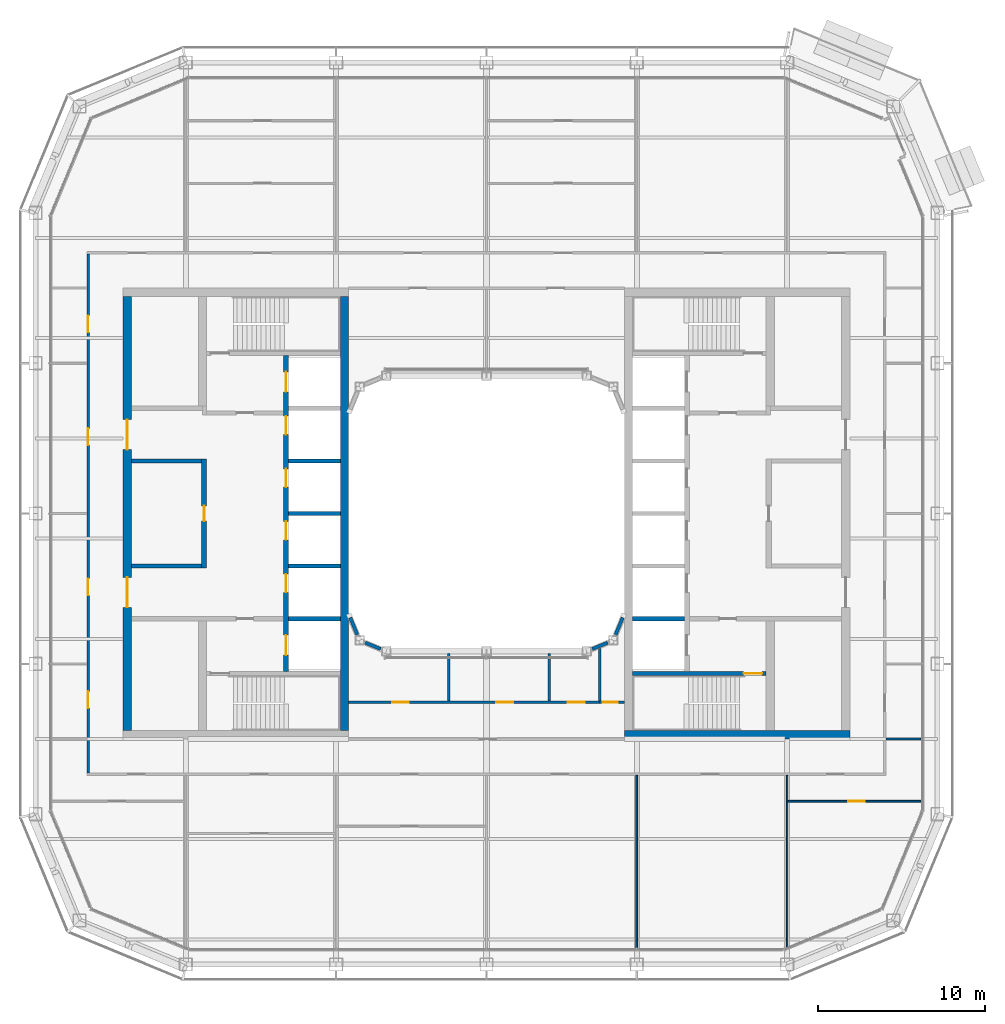
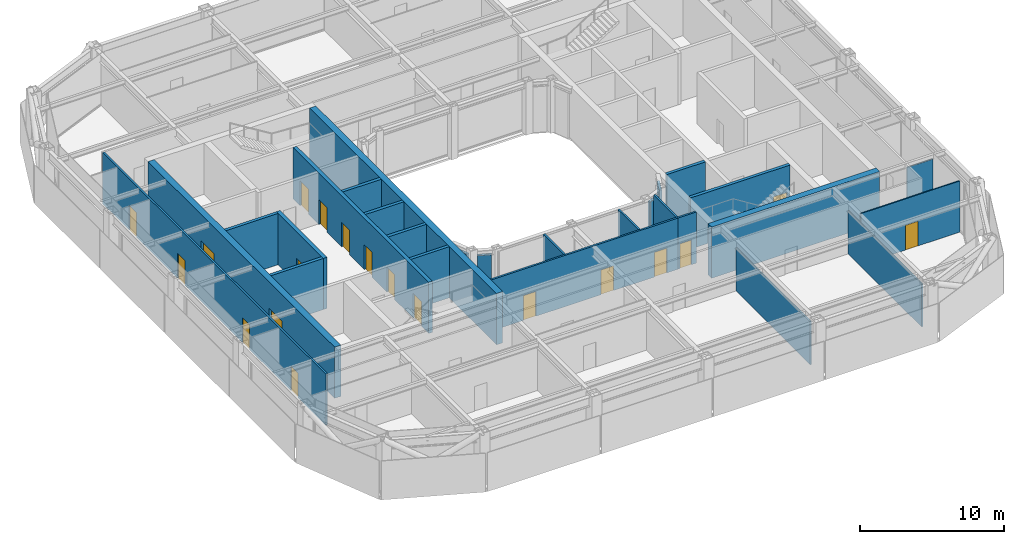
# One storey, part 13 of 23: 27 walls, 19 doors, 19 openings.
"""IFC4 building model written with IfcOpenShell, lengths in metres."""

from ifc_helpers import new_model, si_unit, direction, frame, frame_2d, origin, place, context, subcontext, project, spatial, rectangle, extrude, material, layer, layer_set, type_object, element, fill, save


model = new_model("IFC4")

# Units and contexts
model_context = context("Model", 3, precision=1e-05, world=origin(), true_north=direction((0.0, 1.0)))
body_context = subcontext(model_context, "Body", "Model", "MODEL_VIEW")
ifc_project = project(units=[si_unit("LENGTHUNIT", "METRE"), si_unit("AREAUNIT", "SQUARE_METRE"), si_unit("VOLUMEUNIT", "CUBIC_METRE"), si_unit("PLANEANGLEUNIT", "RADIAN"), si_unit("MASSUNIT", "GRAM", prefix="KILO")], contexts=[model_context])

# Site, building, storey
site_placement = place(None, origin())
site = spatial("IfcSite", under=ifc_project, at=site_placement, CompositionType="ELEMENT")
building_placement = place(site_placement, origin())
building = spatial("IfcBuilding", under=site, at=building_placement, Name="Siwar Civic Tower", CompositionType="ELEMENT")
storey_placement = place(building_placement, frame((0.0, 0.0, 242.199951171875)))
storey = spatial("IfcBuildingStorey", under=building, at=storey_placement, Name="L52", CompositionType="ELEMENT", Elevation=242.199951171875)

# Wall, opening, door
ifc_material_1 = material(Name="Gypsum board on steel studs", Category="steel")
ifc_layer_1 = layer(ifc_material_1, 0.14990234375)
ifc_layer_set_1 = layer_set([ifc_layer_1], Name="Gypsum board on steel studs")
wall_type_1 = type_object("IfcWallType", Name="COMPARTMENT PARTITION 150 EI 60", PredefinedType="PARTITIONING", material=ifc_layer_set_1)
wall_1_placement = place(storey_placement, frame((6.780029296875, -11.300048828125, 0.0), z_axis=(0.0, 0.0, 1.0), x_axis=(1.0, 0.0, 0.0)))
wall_1 = element("IfcWall", 1, at=wall_1_placement, inside=storey, type_object=wall_type_1, Name="L52/wall/P10", PredefinedType="PARTITIONING", context=body_context, shape_type="SweptSolid", body=[
    extrude(rectangle(XDim=1.469970703125, YDim=0.14990234375, at=frame_2d((0.73486328125, 0.0))), origin(), (0.0, 0.0, 1.0), 4.35009765625),
])
opening_1_placement = place(wall_1_placement, frame((0.169921875, 0.0, 0.0)))
opening_1 = element("IfcOpeningElement", 2, at=opening_1_placement, cuts=wall_1, Name="Opening D4", PredefinedType="OPENING", context=body_context, shape_type="SweptSolid", body=[
    extrude(rectangle(XDim=0.89990234375, YDim=2.10009765625, at=frame_2d((0.449951171875, 1.050048828125))), frame((0.0, 0.0849609375, 0.0), z_axis=(0.0, -1.0, 0.0), x_axis=(1.0, 0.0, 0.0)), (0.0, 0.0, 1.0), 0.169921875),
])
ifc_material_2 = material(Name="Timber, painted", Category="wood")
door_type_1 = type_object("IfcDoorType", Name="DOOR 900 X 2100 FD60", OperationType="SINGLE_SWING_LEFT", PredefinedType="DOOR", material=ifc_material_2)
door_1_placement = place(opening_1_placement, origin())
door_1 = element("IfcDoor", 3, at=door_1_placement, inside=storey, type_object=door_type_1, Name="L52-D35", OperationType="SINGLE_SWING_LEFT", OverallHeight=2.10009765625, OverallWidth=0.89990234375, PredefinedType="DOOR", context=body_context, shape_type="SweptSolid", body=[
    extrude(rectangle(XDim=0.89990234375, YDim=2.10009765625, at=frame_2d((0.449951171875, 1.050048828125))), frame((0.0, 0.02490234375, 0.0), z_axis=(0.0, -1.0, 0.0), x_axis=(1.0, 0.0, 0.0)), (0.0, 0.0, 1.0), 0.050048828125),
])
fill(opening_1, door_1)

# Walls
wall_2_placement = place(storey_placement, frame((6.780029296875, -11.22509765625, 0.0), z_axis=(0.0, 0.0, 1.0), x_axis=(0.0, 1.0, 0.0)))
element("IfcWall", 4, at=wall_2_placement, inside=storey, type_object=wall_type_1, Name="L52/wall/P35", PredefinedType="PARTITIONING", context=body_context, shape_type="SweptSolid", body=[
    extrude(rectangle(XDim=3.13818359375, YDim=0.14990234375, at=frame_2d((1.569091796875, 0.0))), origin(), (0.0, 0.0, 1.0), 4.35009765625),
])
ifc_material_3 = material(Name="Concrete C60/75", Category="concrete")
ifc_layer_2 = layer(ifc_material_3, 0.25)
ifc_layer_set_2 = layer_set([ifc_layer_2], Name="Concrete C60/75")
wall_type_2 = type_object("IfcWallType", Name="CORE-WALL-RC250", PredefinedType="SHEAR", material=ifc_layer_set_2)
for number, where, z_axis, x_axis, name in (
    (5, (-17.050048828125, 3.14990234375, 0.0), (0.0, 0.0, 1.0), (-1.0, 0.0, 0.0), "Core wall W"),
    (6, (-17.050048828125, -3.14990234375, 0.0), (0.0, 0.0, 1.0), (-1.0, 0.0, 0.0), "Core wall W"),
):
    element("IfcWall", number, at=place(storey_placement, frame(where, z_axis=z_axis, x_axis=x_axis)), inside=storey, type_object=wall_type_2, Name=name, PredefinedType="SHEAR", context=body_context, shape_type="SweptSolid", body=[
        extrude(rectangle(XDim=4.199951171875, YDim=0.25, at=frame_2d((2.10009765625, 0.0))), origin(), (0.0, 0.0, 1.0), 4.35009765625),
    ])
for number, where, z_axis, x_axis, name in (
    (7, (-8.75, 0.0, 0.0), (0.0, 0.0, 1.0), (-1.0, 0.0, 0.0), "Core wall W"),
    (8, (-8.75, 3.14990234375, 0.0), (0.0, 0.0, 1.0), (-1.0, 0.0, 0.0), "Core wall W"),
    (9, (-8.75, -3.14990234375, 0.0), (0.0, 0.0, 1.0), (-1.0, 0.0, 0.0), "Core wall W"),
    (10, (-8.75, -6.300048828125, 0.0), (0.0, 0.0, 1.0), (-1.0, 0.0, 0.0), "Core wall W"),
    (11, (8.75, -6.300048828125, 0.0), (0.0, 0.0, 1.0), (1.0, 0.0, 0.0), "Core wall E"),
):
    element("IfcWall", number, at=place(storey_placement, frame(where, z_axis=z_axis, x_axis=x_axis)), inside=storey, type_object=wall_type_2, Name=name, PredefinedType="SHEAR", context=body_context, shape_type="SweptSolid", body=[
        extrude(rectangle(XDim=3.10009765625, YDim=0.25, at=frame_2d((1.550048828125, 0.0))), origin(), (0.0, 0.0, 1.0), 4.35009765625),
    ])

# Wall, opening, door
wall_3_placement = place(storey_placement, frame((8.75, -9.574951171875, 0.0), z_axis=(0.0, 0.0, 1.0), x_axis=(1.0, 0.0, 0.0)))
wall_3 = element("IfcWall", 12, at=wall_3_placement, inside=storey, type_object=wall_type_2, Name="Core wall E", PredefinedType="SHEAR", context=body_context, shape_type="SweptSolid", body=[
    extrude(rectangle(XDim=8.0, YDim=0.25, at=frame_2d((4.0, 0.0))), origin(), (0.0, 0.0, 1.0), 4.35009765625),
])
opening_2_placement = place(wall_3_placement, frame((6.64990234375, 0.0, 0.0)))
opening_2 = element("IfcOpeningElement", 13, at=opening_2_placement, cuts=wall_3, Name="Opening L52-CE04", PredefinedType="OPENING", context=body_context, shape_type="SweptSolid", body=[
    extrude(rectangle(XDim=1.10009765625, YDim=2.10009765625, at=frame_2d((0.550048828125, 1.050048828125))), frame((0.0, 0.135009765625, 0.0), z_axis=(0.0, -1.0, 0.0), x_axis=(1.0, 0.0, 0.0)), (0.0, 0.0, 1.0), 0.27001953125),
])
ifc_material_4 = material(Name="Steel door leaf", Category="steel")
door_type_2 = type_object("IfcDoorType", Name="CORE-DOOR-FD60S", OperationType="SINGLE_SWING_LEFT", PredefinedType="DOOR", material=ifc_material_4)
door_2_placement = place(opening_2_placement, origin())
door_2 = element("IfcDoor", 14, at=door_2_placement, inside=storey, type_object=door_type_2, Name="Stair door L52-CE04", OperationType="SINGLE_SWING_RIGHT", OverallHeight=2.10009765625, OverallWidth=1.10009765625, PredefinedType="DOOR", context=body_context, shape_type="SweptSolid", body=[
    extrude(rectangle(XDim=1.10009765625, YDim=2.10009765625, at=frame_2d((0.550048828125, 1.050048828125))), frame((0.0, 0.02490234375, 0.0), z_axis=(0.0, -1.0, 0.0), x_axis=(1.0, 0.0, 0.0)), (0.0, 0.0, 1.0), 0.050048828125),
])
fill(opening_2, door_2)

# Wall, openings, doors
ifc_material_5 = material(Name="Concrete C60/75", Category="concrete")
ifc_layer_3 = layer(ifc_material_5, 0.300048828125)
ifc_layer_set_3 = layer_set([ifc_layer_3], Name="Concrete C60/75")
wall_type_3 = type_object("IfcWallType", Name="CORE-WALL-RC300", PredefinedType="SHEAR", material=ifc_layer_set_3)
wall_4_placement = place(storey_placement, frame((-12.0, -9.449951171875, 0.0), z_axis=(0.0, 0.0, 1.0), x_axis=(0.0, 1.0, 0.0)))
wall_4 = element("IfcWall", 15, at=wall_4_placement, inside=storey, type_object=wall_type_3, Name="Core wall W", PredefinedType="SHEAR", context=body_context, shape_type="SweptSolid", body=[
    extrude(rectangle(XDim=18.89990234375, YDim=0.300048828125, at=frame_2d((9.449951171875, 0.0))), origin(), (0.0, 0.0, 1.0), 4.35009765625),
])
opening_3_placement = place(wall_4_placement, frame((4.72509765625, 0.0, 0.0)))
opening_3 = element("IfcOpeningElement", 16, at=opening_3_placement, cuts=wall_4, Name="Opening L52-CW07", PredefinedType="OPENING", context=body_context, shape_type="SweptSolid", body=[
    extrude(rectangle(XDim=1.10009765625, YDim=2.10009765625, at=frame_2d((0.550048828125, 1.050048828125))), frame((0.0, 0.16015625, 0.0), z_axis=(0.0, -1.0, 0.0), x_axis=(1.0, 0.0, 0.0)), (0.0, 0.0, 1.0), 0.320068359375),
])
opening_4_placement = place(wall_4_placement, frame((7.875, 0.0, 0.0)))
opening_4 = element("IfcOpeningElement", 17, at=opening_4_placement, cuts=wall_4, Name="Opening L52-CW08", PredefinedType="OPENING", context=body_context, shape_type="SweptSolid", body=[
    extrude(rectangle(XDim=1.10009765625, YDim=2.10009765625, at=frame_2d((0.550048828125, 1.050048828125))), frame((0.0, 0.16015625, 0.0), z_axis=(0.0, -1.0, 0.0), x_axis=(1.0, 0.0, 0.0)), (0.0, 0.0, 1.0), 0.320068359375),
])
opening_5_placement = place(wall_4_placement, frame((11.02490234375, 0.0, 0.0)))
opening_5 = element("IfcOpeningElement", 18, at=opening_5_placement, cuts=wall_4, Name="Opening L52-CW09", PredefinedType="OPENING", context=body_context, shape_type="SweptSolid", body=[
    extrude(rectangle(XDim=1.10009765625, YDim=2.10009765625, at=frame_2d((0.550048828125, 1.050048828125))), frame((0.0, 0.16015625, 0.0), z_axis=(0.0, -1.0, 0.0), x_axis=(1.0, 0.0, 0.0)), (0.0, 0.0, 1.0), 0.320068359375),
])
opening_6_placement = place(wall_4_placement, frame((14.175048828125, 0.0, 0.0)))
opening_6 = element("IfcOpeningElement", 19, at=opening_6_placement, cuts=wall_4, Name="Opening L52-CW10", PredefinedType="OPENING", context=body_context, shape_type="SweptSolid", body=[
    extrude(rectangle(XDim=1.10009765625, YDim=2.10009765625, at=frame_2d((0.550048828125, 1.050048828125))), frame((0.0, 0.16015625, 0.0), z_axis=(0.0, -1.0, 0.0), x_axis=(1.0, 0.0, 0.0)), (0.0, 0.0, 1.0), 0.320068359375),
])
opening_7_placement = place(wall_4_placement, frame((16.72509765625, 0.0, 0.0)))
opening_7 = element("IfcOpeningElement", 20, at=opening_7_placement, cuts=wall_4, Name="Opening L52-CW11", PredefinedType="OPENING", context=body_context, shape_type="SweptSolid", body=[
    extrude(rectangle(XDim=1.199951171875, YDim=2.10009765625, at=frame_2d((0.60009765625, 1.050048828125))), frame((0.0, 0.16015625, 0.0), z_axis=(0.0, -1.0, 0.0), x_axis=(1.0, 0.0, 0.0)), (0.0, 0.0, 1.0), 0.320068359375),
])
opening_8_placement = place(wall_4_placement, frame((0.97509765625, 0.0, 0.0)))
opening_8 = element("IfcOpeningElement", 21, at=opening_8_placement, cuts=wall_4, Name="Opening L52-CW12", PredefinedType="OPENING", context=body_context, shape_type="SweptSolid", body=[
    extrude(rectangle(XDim=1.199951171875, YDim=2.10009765625, at=frame_2d((0.60009765625, 1.050048828125))), frame((0.0, 0.16015625, 0.0), z_axis=(0.0, -1.0, 0.0), x_axis=(1.0, 0.0, 0.0)), (0.0, 0.0, 1.0), 0.320068359375),
])
ifc_material_6 = material(Name="Steel door leaf", Category="steel")
door_type_3 = type_object("IfcDoorType", Name="CORE-DOOR-LD", OperationType="DOUBLE_DOOR_SLIDING", PredefinedType="DOOR", material=ifc_material_6)
door_3_placement = place(opening_3_placement, origin())
door_3 = element("IfcDoor", 22, at=door_3_placement, inside=storey, type_object=door_type_3, Name="Landing door HR1 L52-CW07", OperationType="DOUBLE_DOOR_SLIDING", OverallHeight=2.10009765625, OverallWidth=1.10009765625, PredefinedType="DOOR", context=body_context, shape_type="SweptSolid", body=[
    extrude(rectangle(XDim=1.10009765625, YDim=2.10009765625, at=frame_2d((0.550048828125, 1.050048828125))), frame((0.0, 0.02490234375, 0.0), z_axis=(0.0, -1.0, 0.0), x_axis=(1.0, 0.0, 0.0)), (0.0, 0.0, 1.0), 0.050048828125),
])
fill(opening_3, door_3)
door_4_placement = place(opening_4_placement, origin())
door_4 = element("IfcDoor", 23, at=door_4_placement, inside=storey, type_object=door_type_3, Name="Landing door HR2 L52-CW08", OperationType="DOUBLE_DOOR_SLIDING", OverallHeight=2.10009765625, OverallWidth=1.10009765625, PredefinedType="DOOR", context=body_context, shape_type="SweptSolid", body=[
    extrude(rectangle(XDim=1.10009765625, YDim=2.10009765625, at=frame_2d((0.550048828125, 1.050048828125))), frame((0.0, 0.02490234375, 0.0), z_axis=(0.0, -1.0, 0.0), x_axis=(1.0, 0.0, 0.0)), (0.0, 0.0, 1.0), 0.050048828125),
])
fill(opening_4, door_4)
door_5_placement = place(opening_5_placement, origin())
door_5 = element("IfcDoor", 24, at=door_5_placement, inside=storey, type_object=door_type_3, Name="Landing door HR3 L52-CW09", OperationType="DOUBLE_DOOR_SLIDING", OverallHeight=2.10009765625, OverallWidth=1.10009765625, PredefinedType="DOOR", context=body_context, shape_type="SweptSolid", body=[
    extrude(rectangle(XDim=1.10009765625, YDim=2.10009765625, at=frame_2d((0.550048828125, 1.050048828125))), frame((0.0, 0.02490234375, 0.0), z_axis=(0.0, -1.0, 0.0), x_axis=(1.0, 0.0, 0.0)), (0.0, 0.0, 1.0), 0.050048828125),
])
fill(opening_5, door_5)
door_6_placement = place(opening_6_placement, origin())
door_6 = element("IfcDoor", 25, at=door_6_placement, inside=storey, type_object=door_type_3, Name="Landing door HR4 L52-CW10", OperationType="DOUBLE_DOOR_SLIDING", OverallHeight=2.10009765625, OverallWidth=1.10009765625, PredefinedType="DOOR", context=body_context, shape_type="SweptSolid", body=[
    extrude(rectangle(XDim=1.10009765625, YDim=2.10009765625, at=frame_2d((0.550048828125, 1.050048828125))), frame((0.0, 0.02490234375, 0.0), z_axis=(0.0, -1.0, 0.0), x_axis=(1.0, 0.0, 0.0)), (0.0, 0.0, 1.0), 0.050048828125),
])
fill(opening_6, door_6)
ifc_material_7 = material(Name="Steel door leaf", Category="steel")
door_type_4 = type_object("IfcDoorType", Name="CORE-DOOR-LDW", OperationType="DOUBLE_DOOR_SLIDING", PredefinedType="DOOR", material=ifc_material_7)
door_7_placement = place(opening_7_placement, origin())
door_7 = element("IfcDoor", 26, at=door_7_placement, inside=storey, type_object=door_type_4, Name="Landing door FF1 L52-CW11", OperationType="DOUBLE_DOOR_SLIDING", OverallHeight=2.10009765625, OverallWidth=1.199951171875, PredefinedType="DOOR", context=body_context, shape_type="SweptSolid", body=[
    extrude(rectangle(XDim=1.199951171875, YDim=2.10009765625, at=frame_2d((0.60009765625, 1.050048828125))), frame((0.0, 0.02490234375, 0.0), z_axis=(0.0, -1.0, 0.0), x_axis=(1.0, 0.0, 0.0)), (0.0, 0.0, 1.0), 0.050048828125),
])
fill(opening_7, door_7)
door_8_placement = place(opening_8_placement, origin())
door_8 = element("IfcDoor", 27, at=door_8_placement, inside=storey, type_object=door_type_4, Name="Landing door SV1 L52-CW12", OperationType="DOUBLE_DOOR_SLIDING", OverallHeight=2.10009765625, OverallWidth=1.199951171875, PredefinedType="DOOR", context=body_context, shape_type="SweptSolid", body=[
    extrude(rectangle(XDim=1.199951171875, YDim=2.10009765625, at=frame_2d((0.60009765625, 1.050048828125))), frame((0.0, 0.02490234375, 0.0), z_axis=(0.0, -1.0, 0.0), x_axis=(1.0, 0.0, 0.0)), (0.0, 0.0, 1.0), 0.050048828125),
])
fill(opening_8, door_8)

# Wall, opening, door
wall_5_placement = place(storey_placement, frame((-16.89990234375, -3.27490234375, 0.0), z_axis=(0.0, 0.0, 1.0), x_axis=(0.0, 1.0, 0.0)))
wall_5 = element("IfcWall", 28, at=wall_5_placement, inside=storey, type_object=wall_type_3, Name="Core wall W", PredefinedType="SHEAR", context=body_context, shape_type="SweptSolid", body=[
    extrude(rectangle(XDim=6.5498046875, YDim=0.300048828125, at=frame_2d((3.27490234375, 0.0))), origin(), (0.0, 0.0, 1.0), 4.35009765625),
])
opening_9_placement = place(wall_5_placement, frame((2.824951171875, 0.0, 0.0)))
opening_9 = element("IfcOpeningElement", 29, at=opening_9_placement, cuts=wall_5, Name="Opening L52-CW13", PredefinedType="OPENING", context=body_context, shape_type="SweptSolid", body=[
    extrude(rectangle(XDim=0.89990234375, YDim=2.10009765625, at=frame_2d((0.449951171875, 1.050048828125))), frame((0.0, 0.16015625, 0.0), z_axis=(0.0, -1.0, 0.0), x_axis=(1.0, 0.0, 0.0)), (0.0, 0.0, 1.0), 0.320068359375),
])
ifc_material_8 = material(Name="Steel door leaf", Category="steel")
door_type_5 = type_object("IfcDoorType", Name="CORE-DOOR-ROOM", OperationType="SINGLE_SWING_LEFT", PredefinedType="DOOR", material=ifc_material_8)
door_9_placement = place(opening_9_placement, origin())
door_9 = element("IfcDoor", 30, at=door_9_placement, inside=storey, type_object=door_type_5, Name="Core room door L52-CW13", OperationType="SINGLE_SWING_RIGHT", OverallHeight=2.10009765625, OverallWidth=0.89990234375, PredefinedType="DOOR", context=body_context, shape_type="SweptSolid", body=[
    extrude(rectangle(XDim=0.89990234375, YDim=2.10009765625, at=frame_2d((0.449951171875, 1.050048828125))), frame((0.0, 0.02490234375, 0.0), z_axis=(0.0, -1.0, 0.0), x_axis=(1.0, 0.0, 0.0)), (0.0, 0.0, 1.0), 0.050048828125),
])
fill(opening_9, door_9)

# Wall, openings, doors
ifc_material_9 = material(Name="Concrete C60/75", Category="concrete")
ifc_layer_4 = layer(ifc_material_9, 0.5)
ifc_layer_set_4 = layer_set([ifc_layer_4], Name="Concrete C60/75")
wall_type_4 = type_object("IfcWallType", Name="CORE-WALL-RC500", PredefinedType="SHEAR", material=ifc_layer_set_4)
wall_6_placement = place(storey_placement, frame((-21.5, -13.0, 0.0), z_axis=(0.0, 0.0, 1.0), x_axis=(0.0, 1.0, 0.0)))
wall_6 = element("IfcWall", 31, at=wall_6_placement, inside=storey, type_object=wall_type_4, Name="Core wall W", PredefinedType="SHEAR", context=body_context, shape_type="SweptSolid", body=[
    extrude(rectangle(XDim=26.0, YDim=0.5, at=frame_2d((13.0, 0.0))), origin(), (0.0, 0.0, 1.0), 4.35009765625),
])
opening_10_placement = place(wall_6_placement, frame((16.824951171875, 0.0, 0.0)))
opening_10 = element("IfcOpeningElement", 32, at=opening_10_placement, cuts=wall_6, Name="Opening L52-CW05", PredefinedType="OPENING", context=body_context, shape_type="SweptSolid", body=[
    extrude(rectangle(XDim=1.800048828125, YDim=2.10009765625, at=frame_2d((0.89990234375, 1.050048828125))), frame((0.0, 0.260009765625, 0.0), z_axis=(0.0, -1.0, 0.0), x_axis=(1.0, 0.0, 0.0)), (0.0, 0.0, 1.0), 0.52001953125),
])
opening_11_placement = place(wall_6_placement, frame((7.375, 0.0, 0.0)))
opening_11 = element("IfcOpeningElement", 33, at=opening_11_placement, cuts=wall_6, Name="Opening L52-CW06", PredefinedType="OPENING", context=body_context, shape_type="SweptSolid", body=[
    extrude(rectangle(XDim=1.800048828125, YDim=2.10009765625, at=frame_2d((0.89990234375, 1.050048828125))), frame((0.0, 0.260009765625, 0.0), z_axis=(0.0, -1.0, 0.0), x_axis=(1.0, 0.0, 0.0)), (0.0, 0.0, 1.0), 0.52001953125),
])
ifc_material_10 = material(Name="Steel door leaf", Category="steel")
door_type_6 = type_object("IfcDoorType", Name="CORE-DOOR-PORT", OperationType="DOUBLE_DOOR_DOUBLE_SWING", PredefinedType="DOOR", material=ifc_material_10)
door_10_placement = place(opening_10_placement, origin())
door_10 = element("IfcDoor", 34, at=door_10_placement, inside=storey, type_object=door_type_6, Name="Core entrance door L52-CW05", OperationType="DOUBLE_DOOR_DOUBLE_SWING", OverallHeight=2.10009765625, OverallWidth=1.800048828125, PredefinedType="DOOR", context=body_context, shape_type="SweptSolid", body=[
    extrude(rectangle(XDim=1.800048828125, YDim=2.10009765625, at=frame_2d((0.89990234375, 1.050048828125))), frame((0.0, 0.02490234375, 0.0), z_axis=(0.0, -1.0, 0.0), x_axis=(1.0, 0.0, 0.0)), (0.0, 0.0, 1.0), 0.050048828125),
])
fill(opening_10, door_10)
door_11_placement = place(opening_11_placement, origin())
door_11 = element("IfcDoor", 35, at=door_11_placement, inside=storey, type_object=door_type_6, Name="Core entrance door L52-CW06", OperationType="DOUBLE_DOOR_DOUBLE_SWING", OverallHeight=2.10009765625, OverallWidth=1.800048828125, PredefinedType="DOOR", context=body_context, shape_type="SweptSolid", body=[
    extrude(rectangle(XDim=1.800048828125, YDim=2.10009765625, at=frame_2d((0.89990234375, 1.050048828125))), frame((0.0, 0.02490234375, 0.0), z_axis=(0.0, -1.0, 0.0), x_axis=(1.0, 0.0, 0.0)), (0.0, 0.0, 1.0), 0.050048828125),
])
fill(opening_11, door_11)

# Walls
wall_7_placement = place(storey_placement, frame((8.25, -13.25, 0.0), z_axis=(0.0, 0.0, 1.0), x_axis=(1.0, 0.0, 0.0)))
element("IfcWall", 36, at=wall_7_placement, inside=storey, type_object=wall_type_4, Name="Core wall E", PredefinedType="SHEAR", context=body_context, shape_type="SweptSolid", body=[
    extrude(rectangle(XDim=13.5, YDim=0.5, at=frame_2d((6.75, 0.0))), origin(), (0.0, 0.0, 1.0), 4.35009765625),
])
ifc_material_11 = material(Name="Concrete C60/75", Category="concrete")
ifc_layer_5 = layer(ifc_material_11, 0.5)
ifc_layer_set_5 = layer_set([ifc_layer_5], Name="Concrete C60/75")
wall_type_5 = type_object("IfcWallType", Name="CORE-WALL-RC500-EXT", PredefinedType="SHEAR", material=ifc_layer_set_5)
wall_8_placement = place(storey_placement, frame((-8.5, -13.0, 0.0), z_axis=(0.0, 0.0, 1.0), x_axis=(0.0, 1.0, 0.0)))
element("IfcWall", 37, at=wall_8_placement, inside=storey, type_object=wall_type_5, Name="Core wall W", PredefinedType="SHEAR", context=body_context, shape_type="SweptSolid", body=[
    extrude(rectangle(XDim=26.0, YDim=0.5, at=frame_2d((13.0, 0.0))), origin(), (0.0, 0.0, 1.0), 4.35009765625),
])

# Wall, openings, doors
ifc_material_12 = material(Name="Gypsum board on steel studs", Category="steel")
ifc_layer_6 = layer(ifc_material_12, 0.14990234375)
ifc_layer_set_6 = layer_set([ifc_layer_6], Name="Gypsum board on steel studs")
wall_type_6 = type_object("IfcWallType", Name="CORRIDOR PARTITION 150 EI 30", PredefinedType="PARTITIONING", material=ifc_layer_set_6)
wall_9_placement = place(storey_placement, frame((-8.25, -11.300048828125, 0.0), z_axis=(0.0, 0.0, 1.0), x_axis=(1.0, 0.0, 0.0)))
wall_9 = element("IfcWall", 38, at=wall_9_placement, inside=storey, type_object=wall_type_6, Name="L52/wall/P09", PredefinedType="PARTITIONING", context=body_context, shape_type="SweptSolid", body=[
    extrude(rectangle(XDim=15.030029296875, YDim=0.14990234375, at=frame_2d((7.51513671875, 0.0))), origin(), (0.0, 0.0, 1.0), 4.35009765625),
])
opening_12_placement = place(wall_9_placement, frame((2.60009765625, 0.0, 0.0)))
opening_12 = element("IfcOpeningElement", 39, at=opening_12_placement, cuts=wall_9, Name="Opening D3", PredefinedType="OPENING", context=body_context, shape_type="SweptSolid", body=[
    extrude(rectangle(XDim=1.0, YDim=2.10009765625, at=frame_2d((0.5, 1.050048828125))), frame((0.0, 0.0849609375, 0.0), z_axis=(0.0, -1.0, 0.0), x_axis=(1.0, 0.0, 0.0)), (0.0, 0.0, 1.0), 0.169921875),
])
opening_13_placement = place(wall_9_placement, frame((8.85009765625, 0.0, 0.0)))
opening_13 = element("IfcOpeningElement", 40, at=opening_13_placement, cuts=wall_9, Name="Opening D3", PredefinedType="OPENING", context=body_context, shape_type="SweptSolid", body=[
    extrude(rectangle(XDim=1.0, YDim=2.10009765625, at=frame_2d((0.5, 1.050048828125))), frame((0.0, 0.0849609375, 0.0), z_axis=(0.0, -1.0, 0.0), x_axis=(1.0, 0.0, 0.0)), (0.0, 0.0, 1.0), 0.169921875),
])
opening_14_placement = place(wall_9_placement, frame((13.1298828125, 0.0, 0.0)))
opening_14 = element("IfcOpeningElement", 41, at=opening_14_placement, cuts=wall_9, Name="Opening D3", PredefinedType="OPENING", context=body_context, shape_type="SweptSolid", body=[
    extrude(rectangle(XDim=1.0, YDim=2.10009765625, at=frame_2d((0.5, 1.050048828125))), frame((0.0, 0.0849609375, 0.0), z_axis=(0.0, -1.0, 0.0), x_axis=(1.0, 0.0, 0.0)), (0.0, 0.0, 1.0), 0.169921875),
])
ifc_material_13 = material(Name="Timber, painted", Category="wood")
door_type_7 = type_object("IfcDoorType", Name="DOOR 1000 X 2100 WC", OperationType="SINGLE_SWING_LEFT", PredefinedType="DOOR", material=ifc_material_13)
door_12_placement = place(opening_12_placement, origin())
door_12 = element("IfcDoor", 42, at=door_12_placement, inside=storey, type_object=door_type_7, Name="L52-D32", OperationType="SINGLE_SWING_RIGHT", OverallHeight=2.10009765625, OverallWidth=1.0, PredefinedType="DOOR", context=body_context, shape_type="SweptSolid", body=[
    extrude(rectangle(XDim=1.0, YDim=2.10009765625, at=frame_2d((0.5, 1.050048828125))), frame((0.0, 0.02490234375, 0.0), z_axis=(0.0, -1.0, 0.0), x_axis=(1.0, 0.0, 0.0)), (0.0, 0.0, 1.0), 0.050048828125),
])
fill(opening_12, door_12)
door_13_placement = place(opening_13_placement, origin())
door_13 = element("IfcDoor", 43, at=door_13_placement, inside=storey, type_object=door_type_7, Name="L52-D33", OperationType="SINGLE_SWING_LEFT", OverallHeight=2.10009765625, OverallWidth=1.0, PredefinedType="DOOR", context=body_context, shape_type="SweptSolid", body=[
    extrude(rectangle(XDim=1.0, YDim=2.10009765625, at=frame_2d((0.5, 1.050048828125))), frame((0.0, 0.02490234375, 0.0), z_axis=(0.0, -1.0, 0.0), x_axis=(1.0, 0.0, 0.0)), (0.0, 0.0, 1.0), 0.050048828125),
])
fill(opening_13, door_13)
door_14_placement = place(opening_14_placement, origin())
door_14 = element("IfcDoor", 44, at=door_14_placement, inside=storey, type_object=door_type_7, Name="L52-D34", OperationType="SINGLE_SWING_RIGHT", OverallHeight=2.10009765625, OverallWidth=1.0, PredefinedType="DOOR", context=body_context, shape_type="SweptSolid", body=[
    extrude(rectangle(XDim=1.0, YDim=2.10009765625, at=frame_2d((0.5, 1.050048828125))), frame((0.0, 0.02490234375, 0.0), z_axis=(0.0, -1.0, 0.0), x_axis=(1.0, 0.0, 0.0)), (0.0, 0.0, 1.0), 0.050048828125),
])
fill(opening_14, door_14)

wall_10_placement = place(storey_placement, frame((-23.85009765625, -15.52490234375, 0.0), z_axis=(0.0, 0.0, 1.0), x_axis=(0.0, 1.0, 0.0)))
wall_10 = element("IfcWall", 45, at=wall_10_placement, inside=storey, type_object=wall_type_6, Name="L52/wall/P25", PredefinedType="PARTITIONING", context=body_context, shape_type="SweptSolid", body=[
    extrude(rectangle(XDim=31.0498046875, YDim=0.14990234375, at=frame_2d((15.52490234375, 0.0))), origin(), (0.0, 0.0, 1.0), 4.35009765625),
])
opening_15_placement = place(wall_10_placement, frame((3.875, 0.0, 0.0)))
opening_15 = element("IfcOpeningElement", 46, at=opening_15_placement, cuts=wall_10, Name="Opening D1", PredefinedType="OPENING", context=body_context, shape_type="SweptSolid", body=[
    extrude(rectangle(XDim=1.0, YDim=2.10009765625, at=frame_2d((0.5, 1.050048828125))), frame((0.0, 0.0849609375, 0.0), z_axis=(0.0, -1.0, 0.0), x_axis=(1.0, 0.0, 0.0)), (0.0, 0.0, 1.0), 0.169921875),
])
opening_16_placement = place(wall_10_placement, frame((10.625, 0.0, 0.0)))
opening_16 = element("IfcOpeningElement", 47, at=opening_16_placement, cuts=wall_10, Name="Opening D1", PredefinedType="OPENING", context=body_context, shape_type="SweptSolid", body=[
    extrude(rectangle(XDim=1.0, YDim=2.10009765625, at=frame_2d((0.5, 1.050048828125))), frame((0.0, 0.0849609375, 0.0), z_axis=(0.0, -1.0, 0.0), x_axis=(1.0, 0.0, 0.0)), (0.0, 0.0, 1.0), 0.169921875),
])
opening_17_placement = place(wall_10_placement, frame((19.625, 0.0, 0.0)))
opening_17 = element("IfcOpeningElement", 48, at=opening_17_placement, cuts=wall_10, Name="Opening D1", PredefinedType="OPENING", context=body_context, shape_type="SweptSolid", body=[
    extrude(rectangle(XDim=1.0, YDim=2.10009765625, at=frame_2d((0.5, 1.050048828125))), frame((0.0, 0.0849609375, 0.0), z_axis=(0.0, -1.0, 0.0), x_axis=(1.0, 0.0, 0.0)), (0.0, 0.0, 1.0), 0.169921875),
])
opening_18_placement = place(wall_10_placement, frame((26.375, 0.0, 0.0)))
opening_18 = element("IfcOpeningElement", 49, at=opening_18_placement, cuts=wall_10, Name="Opening D1", PredefinedType="OPENING", context=body_context, shape_type="SweptSolid", body=[
    extrude(rectangle(XDim=1.0, YDim=2.10009765625, at=frame_2d((0.5, 1.050048828125))), frame((0.0, 0.0849609375, 0.0), z_axis=(0.0, -1.0, 0.0), x_axis=(1.0, 0.0, 0.0)), (0.0, 0.0, 1.0), 0.169921875),
])
ifc_material_14 = material(Name="Timber, painted", Category="wood")
door_type_8 = type_object("IfcDoorType", Name="DOOR 1000 X 2100 FD30", OperationType="SINGLE_SWING_LEFT", PredefinedType="DOOR", material=ifc_material_14)
door_15_placement = place(opening_15_placement, origin())
door_15 = element("IfcDoor", 50, at=door_15_placement, inside=storey, type_object=door_type_8, Name="L52-D21", OperationType="SINGLE_SWING_LEFT", OverallHeight=2.10009765625, OverallWidth=1.0, PredefinedType="DOOR", context=body_context, shape_type="SweptSolid", body=[
    extrude(rectangle(XDim=1.0, YDim=2.10009765625, at=frame_2d((0.5, 1.050048828125))), frame((0.0, 0.02490234375, 0.0), z_axis=(0.0, -1.0, 0.0), x_axis=(1.0, 0.0, 0.0)), (0.0, 0.0, 1.0), 0.050048828125),
])
fill(opening_15, door_15)
door_16_placement = place(opening_16_placement, origin())
door_16 = element("IfcDoor", 51, at=door_16_placement, inside=storey, type_object=door_type_8, Name="L52-D22", OperationType="SINGLE_SWING_RIGHT", OverallHeight=2.10009765625, OverallWidth=1.0, PredefinedType="DOOR", context=body_context, shape_type="SweptSolid", body=[
    extrude(rectangle(XDim=1.0, YDim=2.10009765625, at=frame_2d((0.5, 1.050048828125))), frame((0.0, 0.02490234375, 0.0), z_axis=(0.0, -1.0, 0.0), x_axis=(1.0, 0.0, 0.0)), (0.0, 0.0, 1.0), 0.050048828125),
])
fill(opening_16, door_16)
door_17_placement = place(opening_17_placement, origin())
door_17 = element("IfcDoor", 52, at=door_17_placement, inside=storey, type_object=door_type_8, Name="L52-D23", OperationType="SINGLE_SWING_LEFT", OverallHeight=2.10009765625, OverallWidth=1.0, PredefinedType="DOOR", context=body_context, shape_type="SweptSolid", body=[
    extrude(rectangle(XDim=1.0, YDim=2.10009765625, at=frame_2d((0.5, 1.050048828125))), frame((0.0, 0.02490234375, 0.0), z_axis=(0.0, -1.0, 0.0), x_axis=(1.0, 0.0, 0.0)), (0.0, 0.0, 1.0), 0.050048828125),
])
fill(opening_17, door_17)
door_18_placement = place(opening_18_placement, origin())
door_18 = element("IfcDoor", 53, at=door_18_placement, inside=storey, type_object=door_type_8, Name="L52-D24", OperationType="SINGLE_SWING_RIGHT", OverallHeight=2.10009765625, OverallWidth=1.0, PredefinedType="DOOR", context=body_context, shape_type="SweptSolid", body=[
    extrude(rectangle(XDim=1.0, YDim=2.10009765625, at=frame_2d((0.5, 1.050048828125))), frame((0.0, 0.02490234375, 0.0), z_axis=(0.0, -1.0, 0.0), x_axis=(1.0, 0.0, 0.0)), (0.0, 0.0, 1.0), 0.050048828125),
])
fill(opening_18, door_18)

# Walls
for number, where, z_axis, x_axis, name in (
    (54, (-2.25, -11.22509765625, 0.0), (0.0, 0.0, 1.0), (0.0, 1.0, 0.0), "L52/wall/P30"),
    (55, (3.75, -11.22509765625, 0.0), (0.0, 0.0, 1.0), (0.0, 1.0, 0.0), "L52/wall/P34"),
):
    element("IfcWall", number, at=place(storey_placement, frame(where, z_axis=z_axis, x_axis=x_axis)), inside=storey, type_object=wall_type_6, Name=name, PredefinedType="PARTITIONING", context=body_context, shape_type="SweptSolid", body=[
        extrude(rectangle(XDim=2.85498046875, YDim=0.14990234375, at=frame_2d((1.427490234375, 0.0))), origin(), (0.0, 0.0, 1.0), 4.35009765625),
    ])
ifc_material_15 = material(Name="Aluminium clad insulated panel", Category="aluminium")
ifc_layer_7 = layer(ifc_material_15, 0.199951171875)
ifc_layer_set_7 = layer_set([ifc_layer_7], Name="Aluminium clad insulated panel")
wall_type_7 = type_object("IfcWallType", Name="ENV-WALL-WELL", PredefinedType="STANDARD", material=ifc_layer_set_7)
wall_11_placement = place(storey_placement, frame((6.33203125, -8.112548828125, 0.0), z_axis=(0.0, 0.0, 1.0), x_axis=(0.923859650767, 0.382731427616, 0.0)))
element("IfcWall", 56, at=wall_11_placement, inside=storey, type_object=wall_type_7, Name="Light well corner wall SE1", PredefinedType="STANDARD", context=body_context, shape_type="SweptSolid", body=[
    extrude(rectangle(XDim=1.00341796875, YDim=0.199951171875, at=frame_2d((0.501708984375, 0.0))), origin(), (0.0, 0.0, 1.0), 3.91796875),
])
for number, where, z_axis, x_axis, name in (
    (57, (7.728515625, -7.259033203125, 0.0), (0.0, 0.0, 1.0), (0.382635994082, 0.923899180665, 0.0), "Light well corner wall SE2"),
    (58, (-8.154296875, -6.23095703125, 0.0), (0.0, 0.0, 1.0), (0.382635994082, -0.923899180665, 0.0), "Light well corner wall SW1"),
):
    element("IfcWall", number, at=place(storey_placement, frame(where, z_axis=z_axis, x_axis=x_axis)), inside=storey, type_object=wall_type_7, Name=name, PredefinedType="STANDARD", context=body_context, shape_type="SweptSolid", body=[
        extrude(rectangle(XDim=1.11279296875, YDim=0.199951171875, at=frame_2d((0.556396484375, 0.0))), origin(), (0.0, 0.0, 1.0), 3.91796875),
    ])
wall_12_placement = place(storey_placement, frame((-7.259033203125, -7.728515625, 0.0), z_axis=(0.0, 0.0, 1.0), x_axis=(0.923859650767, -0.382731427616, 0.0)))
element("IfcWall", 59, at=wall_12_placement, inside=storey, type_object=wall_type_7, Name="Light well corner wall SW2", PredefinedType="STANDARD", context=body_context, shape_type="SweptSolid", body=[
    extrude(rectangle(XDim=1.00341796875, YDim=0.199951171875, at=frame_2d((0.501708984375, 0.0))), origin(), (0.0, 0.0, 1.0), 3.91796875),
])

# Wall, opening, door
ifc_material_16 = material(Name="Gypsum board on steel studs", Category="steel")
ifc_layer_8 = layer(ifc_material_16, 0.10009765625)
ifc_layer_set_8 = layer_set([ifc_layer_8], Name="Gypsum board on steel studs")
wall_type_8 = type_object("IfcWallType", Name="PARTITION 100 GYPSUM", PredefinedType="PARTITIONING", material=ifc_layer_set_8)
wall_13_placement = place(storey_placement, frame((18.050048828125, -17.22802734375, 0.0), z_axis=(0.0, 0.0, 1.0), x_axis=(1.0, 0.0, 0.0)))
wall_13 = element("IfcWall", 60, at=wall_13_placement, inside=storey, type_object=wall_type_8, Name="L52/wall/P04", PredefinedType="PARTITIONING", context=body_context, shape_type="SweptSolid", body=[
    extrude(rectangle(XDim=7.9599609375, YDim=0.10009765625, at=frame_2d((3.97998046875, 0.0))), origin(), (0.0, 0.0, 1.0), 4.35009765625),
])
opening_19_placement = place(wall_13_placement, frame((3.60009765625, 0.0, 0.0)))
opening_19 = element("IfcOpeningElement", 61, at=opening_19_placement, cuts=wall_13, Name="Opening D2", PredefinedType="OPENING", context=body_context, shape_type="SweptSolid", body=[
    extrude(rectangle(XDim=1.0, YDim=2.10009765625, at=frame_2d((0.5, 1.050048828125))), frame((0.0, 0.06005859375, 0.0), z_axis=(0.0, -1.0, 0.0), x_axis=(1.0, 0.0, 0.0)), (0.0, 0.0, 1.0), 0.1201171875),
])
ifc_material_17 = material(Name="Timber, painted", Category="wood")
door_type_9 = type_object("IfcDoorType", Name="DOOR 1000 X 2100", OperationType="SINGLE_SWING_LEFT", PredefinedType="DOOR", material=ifc_material_17)
door_19_placement = place(opening_19_placement, origin())
door_19 = element("IfcDoor", 62, at=door_19_placement, inside=storey, type_object=door_type_9, Name="L52-D20", OperationType="SINGLE_SWING_RIGHT", OverallHeight=2.10009765625, OverallWidth=1.0, PredefinedType="DOOR", context=body_context, shape_type="SweptSolid", body=[
    extrude(rectangle(XDim=1.0, YDim=2.10009765625, at=frame_2d((0.5, 1.050048828125))), frame((0.0, 0.02490234375, 0.0), z_axis=(0.0, -1.0, 0.0), x_axis=(1.0, 0.0, 0.0)), (0.0, 0.0, 1.0), 0.050048828125),
])
fill(opening_19, door_19)

# Walls
wall_14_placement = place(storey_placement, frame((23.925048828125, -13.5, 0.0), z_axis=(0.0, 0.0, 1.0), x_axis=(1.0, 0.0, 0.0)))
element("IfcWall", 63, at=wall_14_placement, inside=storey, type_object=wall_type_8, Name="L52/wall/P07", PredefinedType="PARTITIONING", context=body_context, shape_type="SweptSolid", body=[
    extrude(rectangle(XDim=2.0849609375, YDim=0.10009765625, at=frame_2d((1.04248046875, 0.0))), origin(), (0.0, 0.0, 1.0), 3.949951171875),
])
wall_15_placement = place(storey_placement, frame((9.0, -26.010009765625, 0.0), z_axis=(0.0, 0.0, 1.0), x_axis=(0.0, 1.0, 0.0)))
element("IfcWall", 64, at=wall_15_placement, inside=storey, type_object=wall_type_8, Name="L52/wall/P36", PredefinedType="PARTITIONING", context=body_context, shape_type="SweptSolid", body=[
    extrude(rectangle(XDim=10.3349609375, YDim=0.10009765625, at=frame_2d((5.16748046875, 0.0))), origin(), (0.0, 0.0, 1.0), 3.650146484375),
])
wall_16_placement = place(storey_placement, frame((18.0, -25.927978515625, 0.0), z_axis=(0.0, 0.0, 1.0), x_axis=(0.0, 1.0, 0.0)))
element("IfcWall", 65, at=wall_16_placement, inside=storey, type_object=wall_type_8, Name="L52/wall/P38", PredefinedType="PARTITIONING", context=body_context, shape_type="SweptSolid", body=[
    extrude(rectangle(XDim=10.2529296875, YDim=0.10009765625, at=frame_2d((5.12646484375, 0.0))), origin(), (0.0, 0.0, 1.0), 3.650146484375),
])

save(model, "model.ifc")
